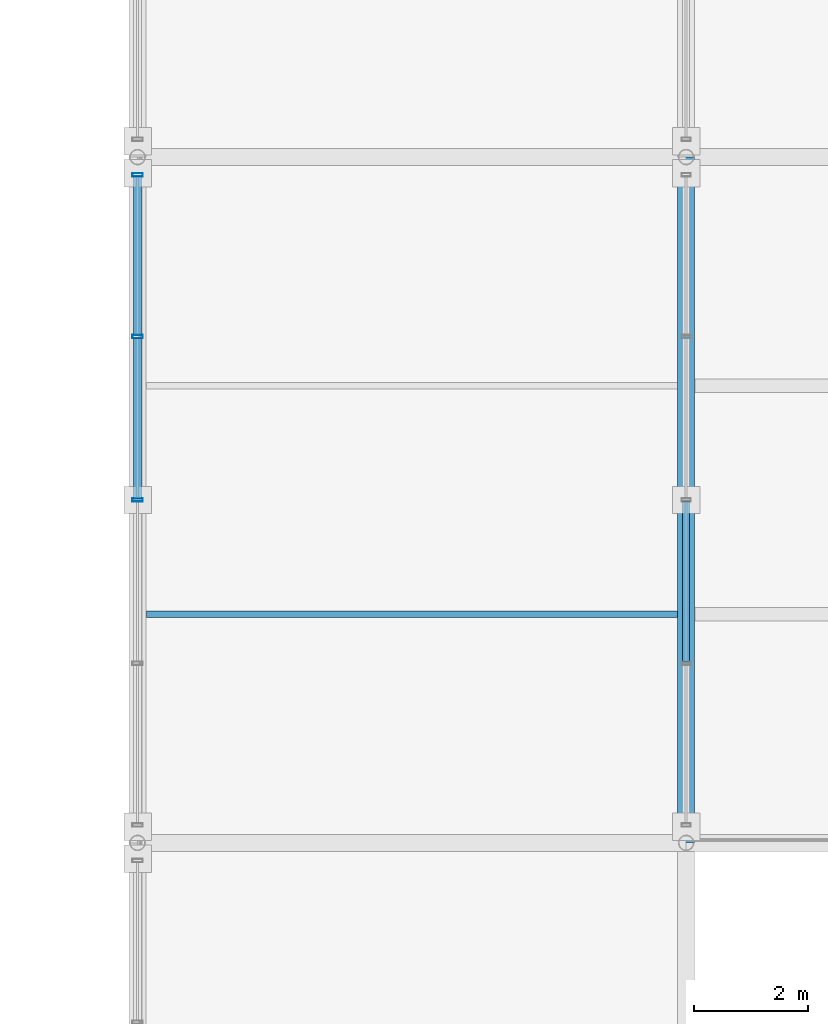
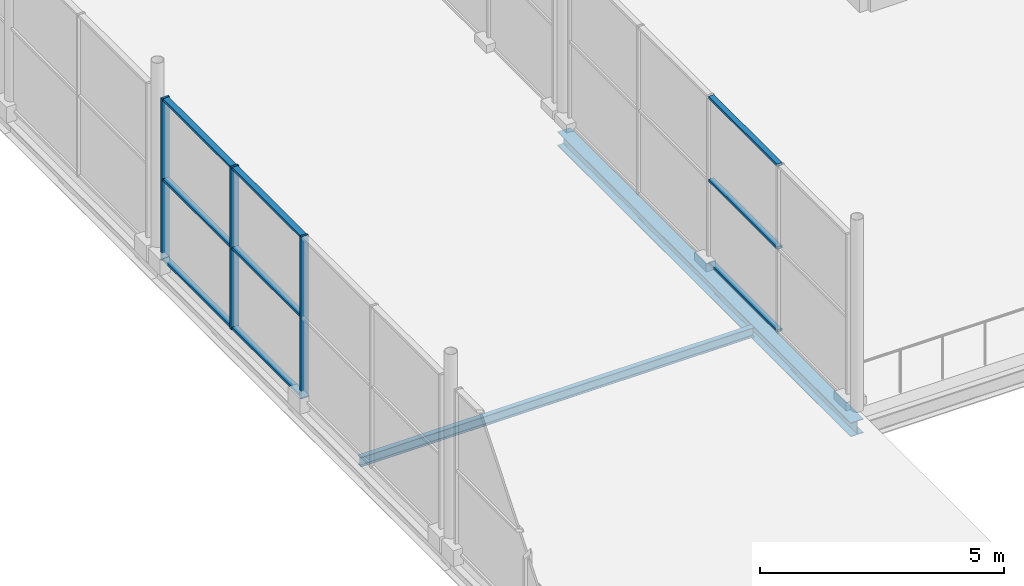
# One storey, part 54 of 159: 12 members, 2 beams, 2 elements without a shape of their own.
"""IFC4 building model written with IfcOpenShell, lengths in metres."""

from ifc_helpers import new_model, si_unit, direction, frame, origin, origin_2d, place, context, subcontext, project, spatial, hollow_rectangle, i_section, extrude, material, material_profile, profile_set, type_object, element, aggregate, save


model = new_model("IFC4")

# Units and contexts
model_context = context("Model", 3, precision=1e-05, world=origin(), true_north=direction((0.0, 1.0)))
body_context = subcontext(model_context, "Body", "Model", "MODEL_VIEW")
ifc_project = project(units=[si_unit("LENGTHUNIT", "METRE"), si_unit("AREAUNIT", "SQUARE_METRE"), si_unit("VOLUMEUNIT", "CUBIC_METRE"), si_unit("PLANEANGLEUNIT", "RADIAN"), si_unit("MASSUNIT", "GRAM", prefix="KILO")], contexts=[model_context])

# Site, building, storey
site_placement = place(None, origin())
site = spatial("IfcSite", under=ifc_project, at=site_placement, CompositionType="ELEMENT")
building_placement = place(site_placement, origin())
building = spatial("IfcBuilding", under=site, at=building_placement, Name="Merenkruunu Market Hall", CompositionType="ELEMENT")
storey_placement = place(building_placement, frame((0.0, 0.0, 5.39990234375)))
storey = spatial("IfcBuildingStorey", under=building, at=storey_placement, Name="L01", CompositionType="ELEMENT", Elevation=5.39990234375)

# Curtain wall, members
ifc_material_1 = material(Name="Powder-coated aluminium", Category="aluminium")
curtain_wall_type_1 = type_object("IfcCurtainWallType", Name="Glazed Curtain Wall CW16", PredefinedType="USERDEFINED", material=ifc_material_1)
curtain_wall_1_placement = place(storey_placement, origin())
curtain_wall_1 = element("IfcCurtainWall", 1, at=curtain_wall_1_placement, inside=storey, type_object=curtain_wall_type_1, Name="CW-L01-CWM02-171", ObjectType="GLAZED_FACADE", PredefinedType="USERDEFINED")
ifc_material_profile_1 = material_profile(ifc_material_1, hollow_rectangle(XDim=0.06005859375, YDim=0.179931640625, WallThickness=0.00390625, at=origin_2d()), Name="ALU 60x180x4")
ifc_profile_set_1 = profile_set([ifc_material_profile_1], Name="Powder-coated aluminium")
member_type_1 = type_object("IfcMemberType", Name="Curtain Wall Mullion CWM02", PredefinedType="MULLION", material=ifc_profile_set_1)
member_1_placement = place(storey_placement, frame((67.199951171875, 33.60009765625, 0.0), z_axis=(0.0, 0.0, 1.0), x_axis=(0.0, 1.0, 0.0)))
member_1 = element("IfcMember", 2, at=member_1_placement, type_object=member_type_1, Name="CW16 mullion 3", PredefinedType="MULLION", context=body_context, shape_type="SweptSolid", body=[
    extrude(hollow_rectangle(XDim=0.06005859375, YDim=0.179931640625, WallThickness=0.00390625, at=origin_2d()), origin(), (0.0, 0.0, 1.0), 4.050048828125),
])
member_2_placement = place(storey_placement, frame((67.199951171875, 36.4599609375, 0.0), z_axis=(0.0, 0.0, 1.0), x_axis=(0.0, 1.0, 0.0)))
member_2 = element("IfcMember", 3, at=member_2_placement, type_object=member_type_1, Name="CW16 mullion 4", PredefinedType="MULLION", context=body_context, shape_type="SweptSolid", body=[
    extrude(hollow_rectangle(XDim=0.06005859375, YDim=0.179931640625, WallThickness=0.00390625, at=origin_2d()), origin(), (0.0, 0.0, 1.0), 4.050048828125),
])
member_3_placement = place(storey_placement, frame((67.199951171875, 39.2900390625, 0.0), z_axis=(0.0, 0.0, 1.0), x_axis=(0.0, 1.0, 0.0)))
member_3 = element("IfcMember", 4, at=member_3_placement, type_object=member_type_1, Name="CW16 mullion 5", PredefinedType="MULLION", context=body_context, shape_type="SweptSolid", body=[
    extrude(hollow_rectangle(XDim=0.06005859375, YDim=0.179931640625, WallThickness=0.00390625, at=origin_2d()), origin(), (0.0, 0.0, 1.0), 4.050048828125),
])

curtain_wall_type_2 = type_object("IfcCurtainWallType", Name="Glazed Curtain Wall CW14", PredefinedType="USERDEFINED", material=ifc_material_1)
curtain_wall_2_placement = place(storey_placement, origin())
curtain_wall_2 = element("IfcCurtainWall", 5, at=curtain_wall_2_placement, inside=storey, type_object=curtain_wall_type_2, Name="CW-L01-CWM01-153", ObjectType="GLAZED_FACADE", PredefinedType="USERDEFINED")
ifc_material_profile_2 = material_profile(ifc_material_1, hollow_rectangle(XDim=0.06005859375, YDim=0.125, WallThickness=0.00390625, at=origin_2d()), Name="ALU 60x125x4")
ifc_profile_set_2 = profile_set([ifc_material_profile_2], Name="Powder-coated aluminium")
member_type_2 = type_object("IfcMemberType", Name="Curtain Wall Transom CWT01", PredefinedType="USERDEFINED", material=ifc_profile_set_2)
member_4_placement = place(storey_placement, frame((76.800048828125, 30.77001953125, 0.030029296875), z_axis=(0.0, 1.0, 0.0), x_axis=(0.0, 0.0, 1.0)))
member_4 = element("IfcMember", 6, at=member_4_placement, type_object=member_type_2, Name="CW14 transom 2.1", ObjectType="TRANSOM", PredefinedType="USERDEFINED", context=body_context, shape_type="SweptSolid", body=[
    extrude(hollow_rectangle(XDim=0.06005859375, YDim=0.125, WallThickness=0.00390625, at=origin_2d()), origin(), (0.0, 0.0, 1.0), 2.800048828125),
])
member_5_placement = place(storey_placement, frame((76.800048828125, 30.77001953125, 2.10009765625), z_axis=(0.0, 1.0, 0.0), x_axis=(0.0, 0.0, 1.0)))
member_5 = element("IfcMember", 7, at=member_5_placement, type_object=member_type_2, Name="CW14 transom 2.2", ObjectType="TRANSOM", PredefinedType="USERDEFINED", context=body_context, shape_type="SweptSolid", body=[
    extrude(hollow_rectangle(XDim=0.06005859375, YDim=0.125, WallThickness=0.00390625, at=origin_2d()), origin(), (0.0, 0.0, 1.0), 2.800048828125),
])
member_6_placement = place(storey_placement, frame((76.800048828125, 30.77001953125, 4.170166015625), z_axis=(0.0, 1.0, 0.0), x_axis=(0.0, 0.0, 1.0)))
member_6 = element("IfcMember", 8, at=member_6_placement, type_object=member_type_2, Name="CW14 transom 2.3", ObjectType="TRANSOM", PredefinedType="USERDEFINED", context=body_context, shape_type="SweptSolid", body=[
    extrude(hollow_rectangle(XDim=0.06005859375, YDim=0.125, WallThickness=0.00390625, at=origin_2d()), origin(), (0.0, 0.0, 1.0), 2.800048828125),
])
aggregate(curtain_wall_2, [member_4, member_5, member_6])

# Member
ifc_material_profile_3 = material_profile(ifc_material_1, hollow_rectangle(XDim=0.06005859375, YDim=0.139892578125, WallThickness=0.00390625, at=origin_2d()), Name="ALU 60x140x4")
ifc_profile_set_3 = profile_set([ifc_material_profile_3], Name="Powder-coated aluminium")
member_type_3 = type_object("IfcMemberType", Name="Curtain Wall Transom CWT02", PredefinedType="USERDEFINED", material=ifc_profile_set_3)
member_7_placement = place(storey_placement, frame((67.199951171875, 33.6298828125, 0.030029296875), z_axis=(0.0, 1.0, 0.0), x_axis=(0.0, 0.0, 1.0)))
member_7 = element("IfcMember", 9, at=member_7_placement, type_object=member_type_3, Name="CW16 transom 3.1", ObjectType="TRANSOM", PredefinedType="USERDEFINED", context=body_context, shape_type="SweptSolid", body=[
    extrude(hollow_rectangle(XDim=0.06005859375, YDim=0.139892578125, WallThickness=0.00390625, at=origin_2d()), origin(), (0.0, 0.0, 1.0), 2.800048828125),
])

member_8_placement = place(storey_placement, frame((67.199951171875, 33.6298828125, 2.025146484375), z_axis=(0.0, 1.0, 0.0), x_axis=(0.0, 0.0, 1.0)))
member_8 = element("IfcMember", 10, at=member_8_placement, type_object=member_type_3, Name="CW16 transom 3.2", ObjectType="TRANSOM", PredefinedType="USERDEFINED", context=body_context, shape_type="SweptSolid", body=[
    extrude(hollow_rectangle(XDim=0.06005859375, YDim=0.139892578125, WallThickness=0.00390625, at=origin_2d()), origin(), (0.0, 0.0, 1.0), 2.800048828125),
])

member_9_placement = place(storey_placement, frame((67.199951171875, 33.6298828125, 4.02001953125), z_axis=(0.0, 1.0, 0.0), x_axis=(0.0, 0.0, 1.0)))
member_9 = element("IfcMember", 11, at=member_9_placement, type_object=member_type_3, Name="CW16 transom 3.3", ObjectType="TRANSOM", PredefinedType="USERDEFINED", context=body_context, shape_type="SweptSolid", body=[
    extrude(hollow_rectangle(XDim=0.06005859375, YDim=0.139892578125, WallThickness=0.00390625, at=origin_2d()), origin(), (0.0, 0.0, 1.0), 2.800048828125),
])

member_10_placement = place(storey_placement, frame((67.199951171875, 36.489990234375, 0.030029296875), z_axis=(0.0, 1.0, 0.0), x_axis=(0.0, 0.0, 1.0)))
member_10 = element("IfcMember", 12, at=member_10_placement, type_object=member_type_3, Name="CW16 transom 4.1", ObjectType="TRANSOM", PredefinedType="USERDEFINED", context=body_context, shape_type="SweptSolid", body=[
    extrude(hollow_rectangle(XDim=0.06005859375, YDim=0.139892578125, WallThickness=0.00390625, at=origin_2d()), origin(), (0.0, 0.0, 1.0), 2.77001953125),
])

member_11_placement = place(storey_placement, frame((67.199951171875, 36.489990234375, 2.025146484375), z_axis=(0.0, 1.0, 0.0), x_axis=(0.0, 0.0, 1.0)))
member_11 = element("IfcMember", 13, at=member_11_placement, type_object=member_type_3, Name="CW16 transom 4.2", ObjectType="TRANSOM", PredefinedType="USERDEFINED", context=body_context, shape_type="SweptSolid", body=[
    extrude(hollow_rectangle(XDim=0.06005859375, YDim=0.139892578125, WallThickness=0.00390625, at=origin_2d()), origin(), (0.0, 0.0, 1.0), 2.77001953125),
])

member_12_placement = place(storey_placement, frame((67.199951171875, 36.489990234375, 4.02001953125), z_axis=(0.0, 1.0, 0.0), x_axis=(0.0, 0.0, 1.0)))
member_12 = element("IfcMember", 14, at=member_12_placement, type_object=member_type_3, Name="CW16 transom 4.3", ObjectType="TRANSOM", PredefinedType="USERDEFINED", context=body_context, shape_type="SweptSolid", body=[
    extrude(hollow_rectangle(XDim=0.06005859375, YDim=0.139892578125, WallThickness=0.00390625, at=origin_2d()), origin(), (0.0, 0.0, 1.0), 2.77001953125),
])

aggregate(curtain_wall_1, [member_1, member_2, member_3, member_7, member_8, member_9, member_10, member_11, member_12])

# Beams
ifc_material_2 = material(Name="Steel S355J2", Category="steel")
ifc_material_profile_4 = material_profile(ifc_material_2, i_section(OverallWidth=0.300048828125, OverallDepth=0.35009765625, WebThickness=0.010009765625, FlangeThickness=0.017578125, FilletRadius=0.027099609375, at=origin_2d()), Name="HEA 360")
ifc_profile_set_4 = profile_set([ifc_material_profile_4], Name="Steel S355J2")
beam_type_1 = type_object("IfcBeamType", Name="Primary Floor Girder B08", PredefinedType="BEAM", material=ifc_profile_set_4)
beam_1_placement = place(storey_placement, frame((76.800048828125, 27.60009765625, -0.48486328125), z_axis=(0.0, 1.0, 0.0), x_axis=(-1.0, 0.0, 0.0)))
element("IfcBeam", 15, at=beam_1_placement, inside=storey, type_object=beam_type_1, Name="BM-L01-B08-0598", PredefinedType="BEAM", context=body_context, shape_type="SweptSolid", body=[
    extrude(i_section(OverallWidth=0.300048828125, OverallDepth=0.35009765625, WebThickness=0.010009765625, FlangeThickness=0.017578125, FilletRadius=0.027099609375, at=origin_2d()), origin(), (0.0, 0.0, 1.0), 12.0),
])
ifc_material_profile_5 = material_profile(ifc_material_2, i_section(OverallWidth=0.1201171875, OverallDepth=0.239990234375, WebThickness=0.006103515625, FlangeThickness=0.009765625, FilletRadius=0.014892578125, at=origin_2d()), Name="IPE 240")
ifc_profile_set_5 = profile_set([ifc_material_profile_5], Name="Steel S355J2")
beam_type_2 = type_object("IfcBeamType", Name="Secondary Floor Joist J05", PredefinedType="JOIST", material=ifc_profile_set_5)
beam_2_placement = place(storey_placement, frame((67.35302734375, 31.60009765625, -0.429931640625), z_axis=(1.0, 0.0, 0.0), x_axis=(0.0, 1.0, 0.0)))
element("IfcBeam", 16, at=beam_2_placement, inside=storey, type_object=beam_type_2, Name="BM-L01-J05-0678", PredefinedType="JOIST", context=body_context, shape_type="SweptSolid", body=[
    extrude(i_section(OverallWidth=0.1201171875, OverallDepth=0.239990234375, WebThickness=0.006103515625, FlangeThickness=0.009765625, FilletRadius=0.014892578125, at=origin_2d()), origin(), (0.0, 0.0, 1.0), 9.2939453125),
])

save(model, "model.ifc")
